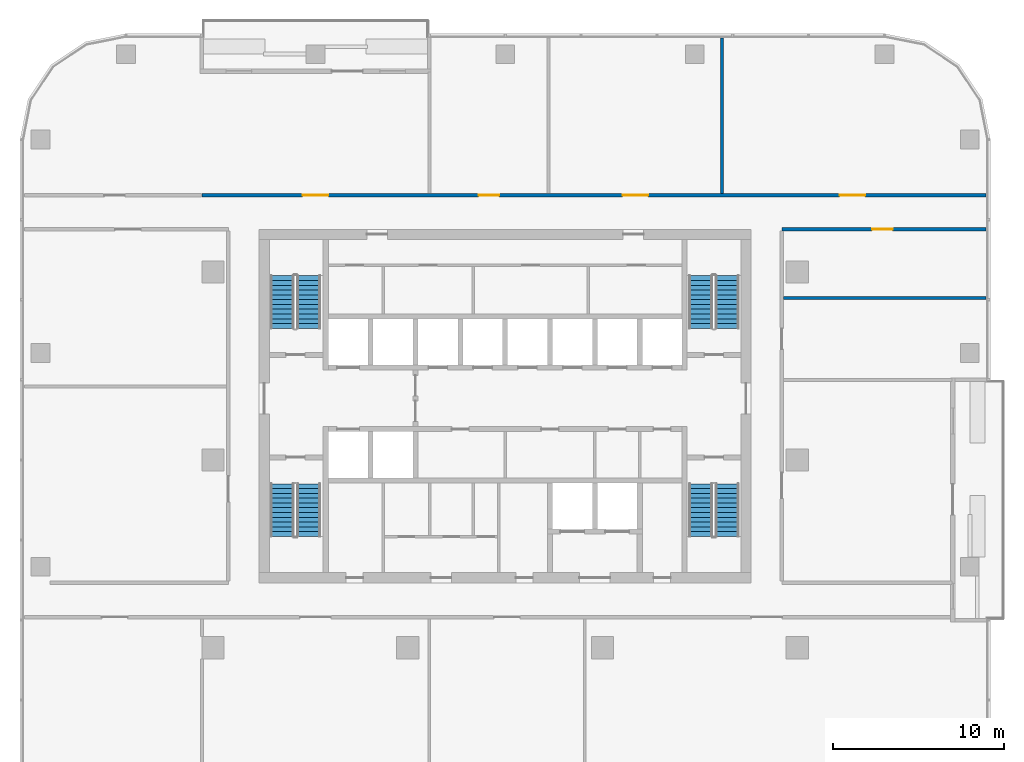
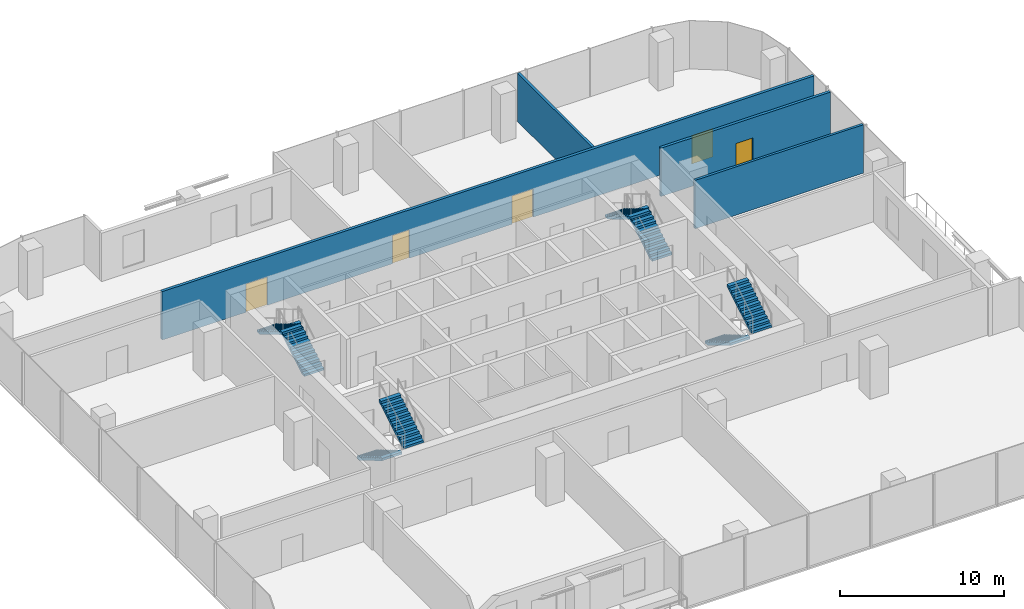
# One storey, part 10 of 14: 8 stair flights, 5 doors, 4 walls, 5 openings, 4 elements without a shape of their own.
"""IFC4 building model written with IfcOpenShell, lengths in metres."""

from ifc_helpers import new_model, si_unit, direction, frame, frame_2d, origin, place, context, subcontext, project, spatial, polyline, rectangle, outline, extrude, material, layer, layer_set, type_object, element, fill, aggregate, save


model = new_model("IFC4")

# Units and contexts
model_context = context("Model", 3, precision=1e-05, world=origin(), true_north=direction((0.0, 1.0)))
body_context = subcontext(model_context, "Body", "Model", "MODEL_VIEW")
ifc_project = project(units=[si_unit("LENGTHUNIT", "METRE"), si_unit("AREAUNIT", "SQUARE_METRE"), si_unit("VOLUMEUNIT", "CUBIC_METRE"), si_unit("PLANEANGLEUNIT", "RADIAN"), si_unit("MASSUNIT", "GRAM", prefix="KILO")], contexts=[model_context])

# Site, building, storey
site_placement = place(None, origin())
site = spatial("IfcSite", under=ifc_project, at=site_placement, CompositionType="ELEMENT")
building_placement = place(site_placement, origin())
building = spatial("IfcBuilding", under=site, at=building_placement, Name="Mopane Tessera Tower", CompositionType="ELEMENT")
storey_placement = place(building_placement, frame((0.0, 0.0, 215.0)))
storey = spatial("IfcBuildingStorey", under=building, at=storey_placement, Name="L45", CompositionType="ELEMENT", Elevation=215.0)

# Walls
ifc_material_1 = material(Name="Gypsum board on staggered steel studs, double layer each face, acoustic mineral wool infill", Category="steel")
ifc_layer_1 = layer(ifc_material_1, 0.175048828125)
ifc_layer_set_1 = layer_set([ifc_layer_1], Name="Gypsum board on staggered steel studs, double layer each face, acoustic mineral wool infill")
wall_type_1 = type_object("IfcWallType", Name="Gypsum board acoustic partition 175, rated EI 60", PredefinedType="PARTITIONING", material=ifc_layer_set_1)
wall_1_placement = place(storey_placement, frame((16.300048828125, 9.485107421875, 0.0), z_axis=(0.0, 0.0, 1.0), x_axis=(1.0, 0.0, 0.0)))
element("IfcWall", 1, at=wall_1_placement, inside=storey, type_object=wall_type_1, Name="Partition L45:005", PredefinedType="PARTITIONING", context=body_context, shape_type="SweptSolid", body=[
    extrude(rectangle(XDim=11.849853515625, YDim=0.175048828125, at=frame_2d((5.9248046875, 0.0))), origin(), (0.0, 0.0, 1.0), 3.60009765625),
])
wall_2_placement = place(storey_placement, frame((12.705078125, 15.60009765625, 0.0), z_axis=(0.0, 0.0, 1.0), x_axis=(0.0, 1.0, 0.0)))
element("IfcWall", 2, at=wall_2_placement, inside=storey, type_object=wall_type_1, Name="Partition L45:017", PredefinedType="PARTITIONING", context=body_context, shape_type="SweptSolid", body=[
    extrude(rectangle(XDim=9.099853515625, YDim=0.175048828125, at=frame_2d((4.5498046875, 0.0))), origin(), (0.0, 0.0, 1.0), 3.60009765625),
])

# Wall, opening, door
ifc_material_2 = material(Name="Gypsum board on steel studs, two layers each face, mineral wool infill", Category="steel")
ifc_layer_2 = layer(ifc_material_2, 0.199951171875)
ifc_layer_set_2 = layer_set([ifc_layer_2], Name="Gypsum board on steel studs, two layers each face, mineral wool infill")
wall_type_2 = type_object("IfcWallType", Name="Gypsum board corridor wall 200, rated EI 60", PredefinedType="PARTITIONING", material=ifc_layer_set_2)
wall_3_placement = place(storey_placement, frame((16.199951171875, 13.5, 0.0), z_axis=(0.0, 0.0, 1.0), x_axis=(1.0, 0.0, 0.0)))
wall_3 = element("IfcWall", 3, at=wall_3_placement, inside=storey, type_object=wall_type_2, Name="Partition L45:007", PredefinedType="PARTITIONING", context=body_context, shape_type="SweptSolid", body=[
    extrude(rectangle(XDim=11.949951171875, YDim=0.199951171875, at=frame_2d((5.97509765625, 0.0))), origin(), (0.0, 0.0, 1.0), 3.60009765625),
])
opening_1_placement = place(wall_3_placement, frame((5.27490234375, 0.0, 0.0)))
opening_1 = element("IfcOpeningElement", 4, at=opening_1_placement, cuts=wall_3, Name="Opening L45-03", PredefinedType="OPENING", context=body_context, shape_type="SweptSolid", body=[
    extrude(rectangle(XDim=1.199951171875, YDim=2.10009765625, at=frame_2d((0.60009765625, 1.050048828125))), frame((0.0, 0.112060546875, 0.0), z_axis=(0.0, -1.0, 0.0), x_axis=(1.0, 0.0, 0.0)), (0.0, 0.0, 1.0), 0.223876953125),
])
ifc_material_3 = material(Name="Timber veneered steel-framed fire door", Category="steel")
door_type_1 = type_object("IfcDoorType", Name="Fire door FD60 1200 x 2100", OperationType="SINGLE_SWING_LEFT", PredefinedType="DOOR", material=ifc_material_3)
door_1_placement = place(opening_1_placement, origin())
door_1 = element("IfcDoor", 5, at=door_1_placement, inside=storey, type_object=door_type_1, Name="Door L45-03", ObjectType="D15A", OperationType="SINGLE_SWING_LEFT", OverallHeight=2.10009765625, OverallWidth=1.199951171875, PredefinedType="DOOR", context=body_context, shape_type="SweptSolid", body=[
    extrude(rectangle(XDim=1.199951171875, YDim=2.10009765625, at=frame_2d((0.60009765625, 1.050048828125))), frame((0.0, 0.02490234375, 0.0), z_axis=(0.0, -1.0, 0.0), x_axis=(1.0, 0.0, 0.0)), (0.0, 0.0, 1.0), 0.050048828125),
])
fill(opening_1, door_1)

# Wall, openings, doors
wall_4_placement = place(storey_placement, frame((-17.760009765625, 15.5, 0.0), z_axis=(0.0, 0.0, 1.0), x_axis=(1.0, 0.0, 0.0)))
wall_4 = element("IfcWall", 6, at=wall_4_placement, inside=storey, type_object=wall_type_2, Name="Partition L45:009", PredefinedType="PARTITIONING", context=body_context, shape_type="SweptSolid", body=[
    extrude(rectangle(XDim=45.909912109375, YDim=0.199951171875, at=frame_2d((22.955078125, 0.0))), origin(), (0.0, 0.0, 1.0), 3.60009765625),
])
opening_2_placement = place(wall_4_placement, frame((37.33740234375, 0.0, 0.0)))
opening_2 = element("IfcOpeningElement", 7, at=opening_2_placement, cuts=wall_4, Name="Opening L45-01", PredefinedType="OPENING", context=body_context, shape_type="SweptSolid", body=[
    extrude(rectangle(XDim=1.5, YDim=2.10009765625, at=frame_2d((0.75, 1.050048828125))), frame((0.0, 0.112060546875, 0.0), z_axis=(0.0, -1.0, 0.0), x_axis=(1.0, 0.0, 0.0)), (0.0, 0.0, 1.0), 0.223876953125),
])
opening_3_placement = place(wall_4_placement, frame((24.632568359375, 0.0, 0.0)))
opening_3 = element("IfcOpeningElement", 8, at=opening_3_placement, cuts=wall_4, Name="Opening L45-02", PredefinedType="OPENING", context=body_context, shape_type="SweptSolid", body=[
    extrude(rectangle(XDim=1.5, YDim=2.10009765625, at=frame_2d((0.75, 1.050048828125))), frame((0.0, 0.112060546875, 0.0), z_axis=(0.0, -1.0, 0.0), x_axis=(1.0, 0.0, 0.0)), (0.0, 0.0, 1.0), 0.223876953125),
])
opening_4_placement = place(wall_4_placement, frame((5.909912109375, 0.0, 0.0)))
opening_4 = element("IfcOpeningElement", 9, at=opening_4_placement, cuts=wall_4, Name="Opening L45-09", PredefinedType="OPENING", context=body_context, shape_type="SweptSolid", body=[
    extrude(rectangle(XDim=1.5, YDim=2.10009765625, at=frame_2d((0.75, 1.050048828125))), frame((0.0, 0.112060546875, 0.0), z_axis=(0.0, -1.0, 0.0), x_axis=(1.0, 0.0, 0.0)), (0.0, 0.0, 1.0), 0.223876953125),
])
opening_5_placement = place(wall_4_placement, frame((16.2099609375, 0.0, 0.0)))
opening_5 = element("IfcOpeningElement", 10, at=opening_5_placement, cuts=wall_4, Name="Opening L45-13", PredefinedType="OPENING", context=body_context, shape_type="SweptSolid", body=[
    extrude(rectangle(XDim=1.199951171875, YDim=2.10009765625, at=frame_2d((0.60009765625, 1.050048828125))), frame((0.0, 0.112060546875, 0.0), z_axis=(0.0, -1.0, 0.0), x_axis=(1.0, 0.0, 0.0)), (0.0, 0.0, 1.0), 0.223876953125),
])
door_2_placement = place(opening_5_placement, origin())
door_2 = element("IfcDoor", 11, at=door_2_placement, inside=storey, type_object=door_type_1, Name="Door L45-13", ObjectType="D15A", OperationType="SINGLE_SWING_RIGHT", OverallHeight=2.10009765625, OverallWidth=1.199951171875, PredefinedType="DOOR", context=body_context, shape_type="SweptSolid", body=[
    extrude(rectangle(XDim=1.199951171875, YDim=2.10009765625, at=frame_2d((0.60009765625, 1.050048828125))), frame((0.0, 0.02490234375, 0.0), z_axis=(0.0, -1.0, 0.0), x_axis=(1.0, 0.0, 0.0)), (0.0, 0.0, 1.0), 0.050048828125),
])
fill(opening_5, door_2)
ifc_material_4 = material(Name="Timber veneered steel-framed fire door", Category="steel")
door_type_2 = type_object("IfcDoorType", Name="Fire door pair FD60 1500 x 2100", OperationType="DOUBLE_DOOR_SINGLE_SWING", PredefinedType="DOOR", material=ifc_material_4)
door_3_placement = place(opening_2_placement, origin())
door_3 = element("IfcDoor", 12, at=door_3_placement, inside=storey, type_object=door_type_2, Name="Door L45-01", ObjectType="D17A", OperationType="DOUBLE_DOOR_SINGLE_SWING", OverallHeight=2.10009765625, OverallWidth=1.5, PredefinedType="DOOR", context=body_context, shape_type="SweptSolid", body=[
    extrude(rectangle(XDim=1.5, YDim=2.10009765625, at=frame_2d((0.75, 1.050048828125))), frame((0.0, 0.02490234375, 0.0), z_axis=(0.0, -1.0, 0.0), x_axis=(1.0, 0.0, 0.0)), (0.0, 0.0, 1.0), 0.050048828125),
])
fill(opening_2, door_3)
door_4_placement = place(opening_3_placement, origin())
door_4 = element("IfcDoor", 13, at=door_4_placement, inside=storey, type_object=door_type_2, Name="Door L45-02", ObjectType="D17A", OperationType="DOUBLE_DOOR_SINGLE_SWING", OverallHeight=2.10009765625, OverallWidth=1.5, PredefinedType="DOOR", context=body_context, shape_type="SweptSolid", body=[
    extrude(rectangle(XDim=1.5, YDim=2.10009765625, at=frame_2d((0.75, 1.050048828125))), frame((0.0, 0.02490234375, 0.0), z_axis=(0.0, -1.0, 0.0), x_axis=(1.0, 0.0, 0.0)), (0.0, 0.0, 1.0), 0.050048828125),
])
fill(opening_3, door_4)
door_5_placement = place(opening_4_placement, origin())
door_5 = element("IfcDoor", 14, at=door_5_placement, inside=storey, type_object=door_type_2, Name="Door L45-09", ObjectType="D17A", OperationType="DOUBLE_DOOR_SINGLE_SWING", OverallHeight=2.10009765625, OverallWidth=1.5, PredefinedType="DOOR", context=body_context, shape_type="SweptSolid", body=[
    extrude(rectangle(XDim=1.5, YDim=2.10009765625, at=frame_2d((0.75, 1.050048828125))), frame((0.0, 0.02490234375, 0.0), z_axis=(0.0, -1.0, 0.0), x_axis=(1.0, 0.0, 0.0)), (0.0, 0.0, 1.0), 0.050048828125),
])
fill(opening_4, door_5)

# Stair, stair flights
ifc_material_5 = material(Name="Concrete C50/60", Category="concrete")
stair_type = type_object("IfcStairType", Name="Escape stair 1400 mm, riser 167 mm", PredefinedType="HALF_TURN_STAIR", material=ifc_material_5)
stair_1_placement = place(storey_placement, origin())
stair_1 = element("IfcStair", 15, at=stair_1_placement, inside=storey, type_object=stair_type, Name="L45 Escape stair south-west", PredefinedType="HALF_TURN_STAIR")
ifc_material_6 = material(Name="Concrete C50/60", Category="concrete")
stair_flight_type = type_object("IfcStairFlightType", Name="Escape stair flight 1400 mm", PredefinedType="STRAIGHT", material=ifc_material_6)
stair_flight_1_placement = place(storey_placement, frame((-13.050048828125, -1.39990234375, 0.0), z_axis=(0.0, 0.0, 1.0), x_axis=(0.0, -1.0, 0.0)))
stair_flight_1 = element("IfcStairFlight", 16, at=stair_flight_1_placement, type_object=stair_flight_type, Name="ST1 flight 1", NumberOfRisers=12, NumberOfTreads=11, PredefinedType="STRAIGHT", RiserHeight=0.166666667, TreadLength=0.28, context=body_context, shape_type="SweptSolid", body=[
    extrude(outline(polyline([(0.0, 0.0), (0.0, 0.166748046875), (0.280029296875, 0.166748046875), (0.280029296875, 0.333251953125), (0.56005859375, 0.333251953125), (0.56005859375, 0.5), (0.840087890625, 0.5), (0.840087890625, 0.666748046875), (1.1201171875, 0.666748046875), (1.1201171875, 0.833251953125), (1.39990234375, 0.833251953125), (1.39990234375, 1.0), (1.679931640625, 1.0), (1.679931640625, 1.166748046875), (1.9599609375, 1.166748046875), (1.9599609375, 1.333251953125), (2.239990234375, 1.333251953125), (2.239990234375, 1.5), (2.52001953125, 1.5), (2.52001953125, 1.666748046875), (2.800048828125, 1.666748046875), (2.800048828125, 1.833251953125), (3.080078125, 1.833251953125), (3.080078125, 2.0), (3.080078125, 1.658935546875), (0.29296875, 0.0), (0.0, 0.0)])), frame((0.0, 0.699951171875, 0.0), z_axis=(0.0, -1.0, 0.0), x_axis=(1.0, 0.0, 0.0)), (0.0, 0.0, 1.0), 1.39990234375),
])
stair_flight_2_placement = place(storey_placement, frame((-11.5, -4.47998046875, 2.0), z_axis=(0.0, 0.0, 1.0), x_axis=(0.0, 1.0, 0.0)))
stair_flight_2 = element("IfcStairFlight", 17, at=stair_flight_2_placement, type_object=stair_flight_type, Name="ST1 flight 2", NumberOfRisers=12, NumberOfTreads=11, PredefinedType="STRAIGHT", RiserHeight=0.166666667, TreadLength=0.28, context=body_context, shape_type="SweptSolid", body=[
    extrude(outline(polyline([(0.0, 0.0), (0.0, 0.166748046875), (0.280029296875, 0.166748046875), (0.280029296875, 0.333251953125), (0.56005859375, 0.333251953125), (0.56005859375, 0.5), (0.840087890625, 0.5), (0.840087890625, 0.666748046875), (1.1201171875, 0.666748046875), (1.1201171875, 0.833251953125), (1.39990234375, 0.833251953125), (1.39990234375, 1.0), (1.679931640625, 1.0), (1.679931640625, 1.166748046875), (1.9599609375, 1.166748046875), (1.9599609375, 1.333251953125), (2.239990234375, 1.333251953125), (2.239990234375, 1.5), (2.52001953125, 1.5), (2.52001953125, 1.666748046875), (2.800048828125, 1.666748046875), (2.800048828125, 1.833251953125), (3.080078125, 1.833251953125), (3.080078125, 2.0), (3.080078125, 1.658935546875), (0.29296875, 0.0), (0.0, 0.0)])), frame((0.0, 0.699951171875, 0.0), z_axis=(0.0, -1.0, 0.0), x_axis=(1.0, 0.0, 0.0)), (0.0, 0.0, 1.0), 1.39990234375),
])
aggregate(stair_1, [stair_flight_1, stair_flight_2])

stair_2_placement = place(storey_placement, origin())
stair_2 = element("IfcStair", 18, at=stair_2_placement, inside=storey, type_object=stair_type, Name="L45 Escape stair north-west", PredefinedType="HALF_TURN_STAIR")
stair_flight_3_placement = place(storey_placement, frame((-11.5, 7.699951171875, 0.0), z_axis=(0.0, 0.0, 1.0), x_axis=(0.0, 1.0, 0.0)))
stair_flight_3 = element("IfcStairFlight", 19, at=stair_flight_3_placement, type_object=stair_flight_type, Name="ST2 flight 1", NumberOfRisers=12, NumberOfTreads=11, PredefinedType="STRAIGHT", RiserHeight=0.166666667, TreadLength=0.28, context=body_context, shape_type="SweptSolid", body=[
    extrude(outline(polyline([(0.0, 0.0), (0.0, 0.166748046875), (0.280029296875, 0.166748046875), (0.280029296875, 0.333251953125), (0.56005859375, 0.333251953125), (0.56005859375, 0.5), (0.840087890625, 0.5), (0.840087890625, 0.666748046875), (1.1201171875, 0.666748046875), (1.1201171875, 0.833251953125), (1.39990234375, 0.833251953125), (1.39990234375, 1.0), (1.679931640625, 1.0), (1.679931640625, 1.166748046875), (1.9599609375, 1.166748046875), (1.9599609375, 1.333251953125), (2.239990234375, 1.333251953125), (2.239990234375, 1.5), (2.52001953125, 1.5), (2.52001953125, 1.666748046875), (2.800048828125, 1.666748046875), (2.800048828125, 1.833251953125), (3.080078125, 1.833251953125), (3.080078125, 2.0), (3.080078125, 1.658935546875), (0.29296875, 0.0), (0.0, 0.0)])), frame((0.0, 0.699951171875, 0.0), z_axis=(0.0, -1.0, 0.0), x_axis=(1.0, 0.0, 0.0)), (0.0, 0.0, 1.0), 1.39990234375),
])
stair_flight_4_placement = place(storey_placement, frame((-13.050048828125, 10.780029296875, 2.0), z_axis=(0.0, 0.0, 1.0), x_axis=(0.0, -1.0, 0.0)))
stair_flight_4 = element("IfcStairFlight", 20, at=stair_flight_4_placement, type_object=stair_flight_type, Name="ST2 flight 2", NumberOfRisers=12, NumberOfTreads=11, PredefinedType="STRAIGHT", RiserHeight=0.166666667, TreadLength=0.28, context=body_context, shape_type="SweptSolid", body=[
    extrude(outline(polyline([(0.0, 0.0), (0.0, 0.166748046875), (0.280029296875, 0.166748046875), (0.280029296875, 0.333251953125), (0.56005859375, 0.333251953125), (0.56005859375, 0.5), (0.840087890625, 0.5), (0.840087890625, 0.666748046875), (1.1201171875, 0.666748046875), (1.1201171875, 0.833251953125), (1.39990234375, 0.833251953125), (1.39990234375, 1.0), (1.679931640625, 1.0), (1.679931640625, 1.166748046875), (1.9599609375, 1.166748046875), (1.9599609375, 1.333251953125), (2.239990234375, 1.333251953125), (2.239990234375, 1.5), (2.52001953125, 1.5), (2.52001953125, 1.666748046875), (2.800048828125, 1.666748046875), (2.800048828125, 1.833251953125), (3.080078125, 1.833251953125), (3.080078125, 2.0), (3.080078125, 1.658935546875), (0.29296875, 0.0), (0.0, 0.0)])), frame((0.0, 0.699951171875, 0.0), z_axis=(0.0, -1.0, 0.0), x_axis=(1.0, 0.0, 0.0)), (0.0, 0.0, 1.0), 1.39990234375),
])
aggregate(stair_2, [stair_flight_3, stair_flight_4])

stair_3_placement = place(storey_placement, origin())
stair_3 = element("IfcStair", 21, at=stair_3_placement, inside=storey, type_object=stair_type, Name="L45 Escape stair south-east", PredefinedType="HALF_TURN_STAIR")
stair_flight_5_placement = place(storey_placement, frame((11.449951171875, -1.39990234375, 0.0), z_axis=(0.0, 0.0, 1.0), x_axis=(0.0, -1.0, 0.0)))
stair_flight_5 = element("IfcStairFlight", 22, at=stair_flight_5_placement, type_object=stair_flight_type, Name="ST3 flight 1", NumberOfRisers=12, NumberOfTreads=11, PredefinedType="STRAIGHT", RiserHeight=0.166666667, TreadLength=0.28, context=body_context, shape_type="SweptSolid", body=[
    extrude(outline(polyline([(0.0, 0.0), (0.0, 0.166748046875), (0.280029296875, 0.166748046875), (0.280029296875, 0.333251953125), (0.56005859375, 0.333251953125), (0.56005859375, 0.5), (0.840087890625, 0.5), (0.840087890625, 0.666748046875), (1.1201171875, 0.666748046875), (1.1201171875, 0.833251953125), (1.39990234375, 0.833251953125), (1.39990234375, 1.0), (1.679931640625, 1.0), (1.679931640625, 1.166748046875), (1.9599609375, 1.166748046875), (1.9599609375, 1.333251953125), (2.239990234375, 1.333251953125), (2.239990234375, 1.5), (2.52001953125, 1.5), (2.52001953125, 1.666748046875), (2.800048828125, 1.666748046875), (2.800048828125, 1.833251953125), (3.080078125, 1.833251953125), (3.080078125, 2.0), (3.080078125, 1.658935546875), (0.29296875, 0.0), (0.0, 0.0)])), frame((0.0, 0.699951171875, 0.0), z_axis=(0.0, -1.0, 0.0), x_axis=(1.0, 0.0, 0.0)), (0.0, 0.0, 1.0), 1.39990234375),
])
stair_flight_6_placement = place(storey_placement, frame((13.0, -4.47998046875, 2.0), z_axis=(0.0, 0.0, 1.0), x_axis=(0.0, 1.0, 0.0)))
stair_flight_6 = element("IfcStairFlight", 23, at=stair_flight_6_placement, type_object=stair_flight_type, Name="ST3 flight 2", NumberOfRisers=12, NumberOfTreads=11, PredefinedType="STRAIGHT", RiserHeight=0.166666667, TreadLength=0.28, context=body_context, shape_type="SweptSolid", body=[
    extrude(outline(polyline([(0.0, 0.0), (0.0, 0.166748046875), (0.280029296875, 0.166748046875), (0.280029296875, 0.333251953125), (0.56005859375, 0.333251953125), (0.56005859375, 0.5), (0.840087890625, 0.5), (0.840087890625, 0.666748046875), (1.1201171875, 0.666748046875), (1.1201171875, 0.833251953125), (1.39990234375, 0.833251953125), (1.39990234375, 1.0), (1.679931640625, 1.0), (1.679931640625, 1.166748046875), (1.9599609375, 1.166748046875), (1.9599609375, 1.333251953125), (2.239990234375, 1.333251953125), (2.239990234375, 1.5), (2.52001953125, 1.5), (2.52001953125, 1.666748046875), (2.800048828125, 1.666748046875), (2.800048828125, 1.833251953125), (3.080078125, 1.833251953125), (3.080078125, 2.0), (3.080078125, 1.658935546875), (0.29296875, 0.0), (0.0, 0.0)])), frame((0.0, 0.699951171875, 0.0), z_axis=(0.0, -1.0, 0.0), x_axis=(1.0, 0.0, 0.0)), (0.0, 0.0, 1.0), 1.39990234375),
])
aggregate(stair_3, [stair_flight_5, stair_flight_6])

stair_4_placement = place(storey_placement, origin())
stair_4 = element("IfcStair", 24, at=stair_4_placement, inside=storey, type_object=stair_type, Name="L45 Escape stair north-east", PredefinedType="HALF_TURN_STAIR")
stair_flight_7_placement = place(storey_placement, frame((13.0, 7.699951171875, 0.0), z_axis=(0.0, 0.0, 1.0), x_axis=(0.0, 1.0, 0.0)))
stair_flight_7 = element("IfcStairFlight", 25, at=stair_flight_7_placement, type_object=stair_flight_type, Name="ST4 flight 1", NumberOfRisers=12, NumberOfTreads=11, PredefinedType="STRAIGHT", RiserHeight=0.166666667, TreadLength=0.28, context=body_context, shape_type="SweptSolid", body=[
    extrude(outline(polyline([(0.0, 0.0), (0.0, 0.166748046875), (0.280029296875, 0.166748046875), (0.280029296875, 0.333251953125), (0.56005859375, 0.333251953125), (0.56005859375, 0.5), (0.840087890625, 0.5), (0.840087890625, 0.666748046875), (1.1201171875, 0.666748046875), (1.1201171875, 0.833251953125), (1.39990234375, 0.833251953125), (1.39990234375, 1.0), (1.679931640625, 1.0), (1.679931640625, 1.166748046875), (1.9599609375, 1.166748046875), (1.9599609375, 1.333251953125), (2.239990234375, 1.333251953125), (2.239990234375, 1.5), (2.52001953125, 1.5), (2.52001953125, 1.666748046875), (2.800048828125, 1.666748046875), (2.800048828125, 1.833251953125), (3.080078125, 1.833251953125), (3.080078125, 2.0), (3.080078125, 1.658935546875), (0.29296875, 0.0), (0.0, 0.0)])), frame((0.0, 0.699951171875, 0.0), z_axis=(0.0, -1.0, 0.0), x_axis=(1.0, 0.0, 0.0)), (0.0, 0.0, 1.0), 1.39990234375),
])
stair_flight_8_placement = place(storey_placement, frame((11.449951171875, 10.780029296875, 2.0), z_axis=(0.0, 0.0, 1.0), x_axis=(0.0, -1.0, 0.0)))
stair_flight_8 = element("IfcStairFlight", 26, at=stair_flight_8_placement, type_object=stair_flight_type, Name="ST4 flight 2", NumberOfRisers=12, NumberOfTreads=11, PredefinedType="STRAIGHT", RiserHeight=0.166666667, TreadLength=0.28, context=body_context, shape_type="SweptSolid", body=[
    extrude(outline(polyline([(0.0, 0.0), (0.0, 0.166748046875), (0.280029296875, 0.166748046875), (0.280029296875, 0.333251953125), (0.56005859375, 0.333251953125), (0.56005859375, 0.5), (0.840087890625, 0.5), (0.840087890625, 0.666748046875), (1.1201171875, 0.666748046875), (1.1201171875, 0.833251953125), (1.39990234375, 0.833251953125), (1.39990234375, 1.0), (1.679931640625, 1.0), (1.679931640625, 1.166748046875), (1.9599609375, 1.166748046875), (1.9599609375, 1.333251953125), (2.239990234375, 1.333251953125), (2.239990234375, 1.5), (2.52001953125, 1.5), (2.52001953125, 1.666748046875), (2.800048828125, 1.666748046875), (2.800048828125, 1.833251953125), (3.080078125, 1.833251953125), (3.080078125, 2.0), (3.080078125, 1.658935546875), (0.29296875, 0.0), (0.0, 0.0)])), frame((0.0, 0.699951171875, 0.0), z_axis=(0.0, -1.0, 0.0), x_axis=(1.0, 0.0, 0.0)), (0.0, 0.0, 1.0), 1.39990234375),
])
aggregate(stair_4, [stair_flight_7, stair_flight_8])

save(model, "model.ifc")
